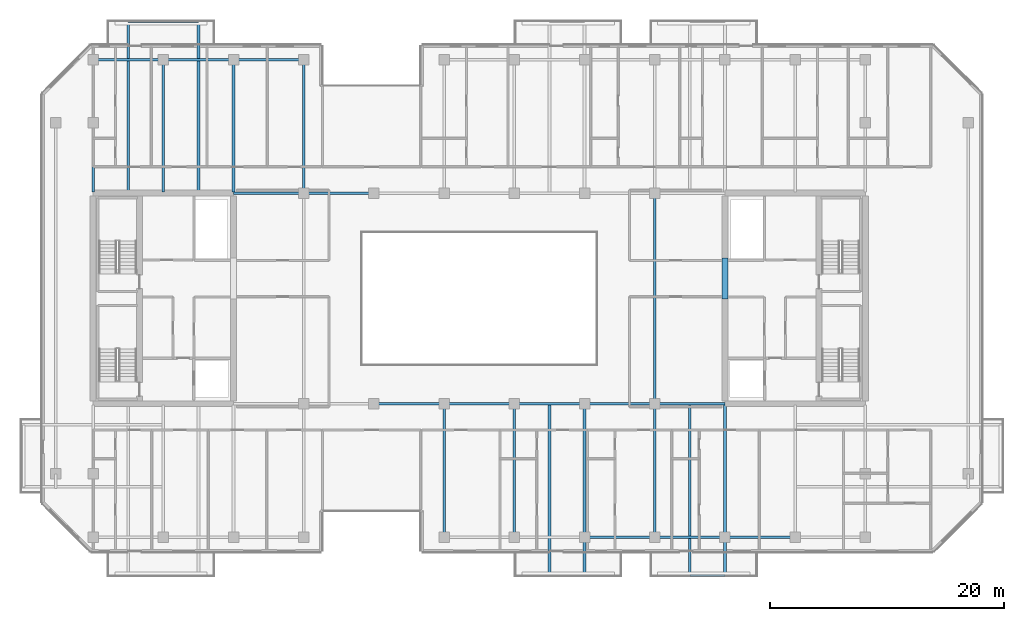
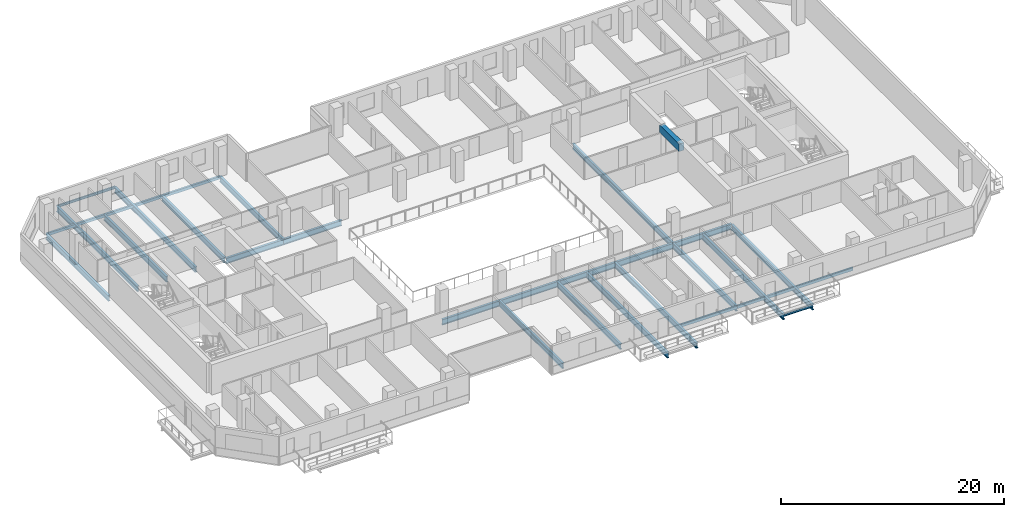
# One storey, part 5 of 19: 30 beams.
"""IFC4 building model written with IfcOpenShell, lengths in metres."""

from ifc_helpers import new_model, si_unit, direction, frame, origin, origin_2d, place, context, subcontext, project, spatial, rectangle, hollow_rectangle, i_section, extrude, material, material_profile, profile_set, type_object, element, save


model = new_model("IFC4")

# Units and contexts
model_context = context("Model", 3, precision=1e-05, world=origin(), true_north=direction((0.0, 1.0)))
body_context = subcontext(model_context, "Body", "Model", "MODEL_VIEW")
ifc_project = project(units=[si_unit("LENGTHUNIT", "METRE"), si_unit("AREAUNIT", "SQUARE_METRE"), si_unit("VOLUMEUNIT", "CUBIC_METRE"), si_unit("PLANEANGLEUNIT", "RADIAN"), si_unit("MASSUNIT", "GRAM", prefix="KILO")], contexts=[model_context])

# Site, building, storey
site_placement = place(None, origin())
site = spatial("IfcSite", under=ifc_project, at=site_placement, CompositionType="ELEMENT")
building_placement = place(site_placement, origin())
building = spatial("IfcBuilding", under=site, at=building_placement, Name="Tanjung Sevakor Pilgrim Tower", CompositionType="ELEMENT")
storey_placement = place(building_placement, frame((0.0, 0.0, 138.60009765625)))
storey = spatial("IfcBuildingStorey", under=building, at=storey_placement, Name="L38", CompositionType="ELEMENT", Elevation=138.60009765625)

# Beams
ifc_material_1 = material(Name="Steel S355J2", Category="steel")
ifc_material_profile_1 = material_profile(ifc_material_1, i_section(OverallWidth=0.230224609375, OverallDepth=0.6171875, WebThickness=0.01318359375, FlangeThickness=0.022216796875, FilletRadius=0.0126953125, at=origin_2d()))
ifc_profile_set_1 = profile_set([ifc_material_profile_1], Name="Steel S355J2")
beam_type_1 = type_object("IfcBeamType", Name="BM-B-G3-UB_610x229x140", PredefinedType="BEAM", material=ifc_profile_set_1)
for number, where, z_axis, x_axis, name in (
    (1, (48.0, 24.60009765625, -0.52880859375), (1.0, 0.0, 0.0), (0.0, 1.0, 0.0), "L38 Primary Floor Girder MAIN Y246-03"),
    (2, (54.0, 24.60009765625, -0.52880859375), (1.0, 0.0, 0.0), (0.0, 1.0, 0.0), "L38 Primary Floor Girder MAIN Y246-04"),
    (3, (60.0, 24.60009765625, -0.52880859375), (1.0, 0.0, 0.0), (0.0, 1.0, 0.0), "L38 Primary Floor Girder MAIN Y246-05"),
    (4, (66.0, 24.60009765625, -0.52880859375), (1.0, 0.0, 0.0), (0.0, 1.0, 0.0), "L38 Primary Floor Girder MAIN Y246-06"),
    (5, (72.0, 24.60009765625, -0.52880859375), (1.0, 0.0, 0.0), (0.0, 1.0, 0.0), "L38 Primary Floor Girder MAIN Y246-07"),
    (6, (36.0, 42.60009765625, -0.52880859375), (1.0, 0.0, 0.0), (0.0, 1.0, 0.0), "L38 Primary Floor Girder MAIN Y426-01"),
    (7, (42.0, 42.60009765625, -0.52880859375), (1.0, 0.0, 0.0), (0.0, 1.0, 0.0), "L38 Primary Floor Girder MAIN Y426-02"),
):
    element("IfcBeam", number, at=place(storey_placement, frame(where, z_axis=z_axis, x_axis=x_axis)), inside=storey, type_object=beam_type_1, Name=name, PredefinedType="BEAM", context=body_context, shape_type="SweptSolid", body=[
        extrude(i_section(OverallWidth=0.230224609375, OverallDepth=0.6171875, WebThickness=0.01318359375, FlangeThickness=0.022216796875, FilletRadius=0.0126953125, at=origin_2d()), origin(), (0.0, 0.0, 1.0), 6.0),
    ])
ifc_material_2 = material(Name="Steel S355J2", Category="steel")
ifc_material_profile_2 = material_profile(ifc_material_2, i_section(OverallWidth=0.22900390625, OverallDepth=0.6123046875, WebThickness=0.011962890625, FlangeThickness=0.01953125, FilletRadius=0.0126953125, at=origin_2d()))
ifc_profile_set_2 = profile_set([ifc_material_profile_2], Name="Steel S355J2")
beam_type_2 = type_object("IfcBeamType", Name="BM-B-G4-UB_610x229x125", PredefinedType="BEAM", material=ifc_profile_set_2)
beam_1_placement = place(storey_placement, frame((24.0, 42.715087890625, -0.526123046875), z_axis=(0.0, 1.0, 0.0), x_axis=(-1.0, 0.0, 0.0)))
element("IfcBeam", 8, at=beam_1_placement, inside=storey, type_object=beam_type_2, Name="L38 MAIN Girder 002", PredefinedType="BEAM", context=body_context, shape_type="SweptSolid", body=[
    extrude(i_section(OverallWidth=0.22900390625, OverallDepth=0.6123046875, WebThickness=0.011962890625, FlangeThickness=0.01953125, FilletRadius=0.0126953125, at=origin_2d()), origin(), (0.0, 0.0, 1.0), 11.284912109375),
])
beam_2_placement = place(storey_placement, frame((27.0, 42.715087890625, -0.526123046875), z_axis=(0.0, 1.0, 0.0), x_axis=(-1.0, 0.0, 0.0)))
element("IfcBeam", 9, at=beam_2_placement, inside=storey, type_object=beam_type_2, Name="L38 Balcony Cantilever Beam MAIN-N1-1", PredefinedType="BEAM", context=body_context, shape_type="SweptSolid", body=[
    extrude(i_section(OverallWidth=0.22900390625, OverallDepth=0.6123046875, WebThickness=0.011962890625, FlangeThickness=0.01953125, FilletRadius=0.0126953125, at=origin_2d()), origin(), (0.0, 0.0, 1.0), 14.56494140625),
])
beam_3_placement = place(storey_placement, frame((30.0, 42.715087890625, -0.526123046875), z_axis=(0.0, 1.0, 0.0), x_axis=(-1.0, 0.0, 0.0)))
element("IfcBeam", 10, at=beam_3_placement, inside=storey, type_object=beam_type_2, Name="L38 MAIN Girder 004", PredefinedType="BEAM", context=body_context, shape_type="SweptSolid", body=[
    extrude(i_section(OverallWidth=0.22900390625, OverallDepth=0.6123046875, WebThickness=0.011962890625, FlangeThickness=0.01953125, FilletRadius=0.0126953125, at=origin_2d()), origin(), (0.0, 0.0, 1.0), 11.284912109375),
])
beam_4_placement = place(storey_placement, frame((33.0, 42.715087890625, -0.526123046875), z_axis=(0.0, 1.0, 0.0), x_axis=(-1.0, 0.0, 0.0)))
element("IfcBeam", 11, at=beam_4_placement, inside=storey, type_object=beam_type_2, Name="L38 Balcony Cantilever Beam MAIN-N1-2", PredefinedType="BEAM", context=body_context, shape_type="SweptSolid", body=[
    extrude(i_section(OverallWidth=0.22900390625, OverallDepth=0.6123046875, WebThickness=0.011962890625, FlangeThickness=0.01953125, FilletRadius=0.0126953125, at=origin_2d()), origin(), (0.0, 0.0, 1.0), 14.56494140625),
])
beam_5_placement = place(storey_placement, frame((36.0, 42.715087890625, -0.526123046875), z_axis=(0.0, 1.0, 0.0), x_axis=(-1.0, 0.0, 0.0)))
element("IfcBeam", 12, at=beam_5_placement, inside=storey, type_object=beam_type_2, Name="L38 MAIN Girder 006", PredefinedType="BEAM", context=body_context, shape_type="SweptSolid", body=[
    extrude(i_section(OverallWidth=0.22900390625, OverallDepth=0.6123046875, WebThickness=0.011962890625, FlangeThickness=0.01953125, FilletRadius=0.0126953125, at=origin_2d()), origin(), (0.0, 0.0, 1.0), 11.284912109375),
])
beam_6_placement = place(storey_placement, frame((42.0, 42.60009765625, -0.526123046875), z_axis=(0.0, 1.0, 0.0), x_axis=(-1.0, 0.0, 0.0)))
element("IfcBeam", 13, at=beam_6_placement, inside=storey, type_object=beam_type_2, Name="L38 MAIN Girder 009", PredefinedType="BEAM", context=body_context, shape_type="SweptSolid", body=[
    extrude(i_section(OverallWidth=0.22900390625, OverallDepth=0.6123046875, WebThickness=0.011962890625, FlangeThickness=0.01953125, FilletRadius=0.0126953125, at=origin_2d()), origin(), (0.0, 0.0, 1.0), 11.39990234375),
])
for number, where, z_axis, x_axis, name in (
    (14, (54.0, 13.199951171875, -0.526123046875), (0.0, 1.0, 0.0), (-1.0, 0.0, 0.0), "L38 MAIN Girder 010"),
    (15, (60.0, 13.199951171875, -0.526123046875), (0.0, 1.0, 0.0), (-1.0, 0.0, 0.0), "L38 MAIN Girder 012"),
):
    element("IfcBeam", number, at=place(storey_placement, frame(where, z_axis=z_axis, x_axis=x_axis)), inside=storey, type_object=beam_type_2, Name=name, PredefinedType="BEAM", context=body_context, shape_type="SweptSolid", body=[
        extrude(i_section(OverallWidth=0.22900390625, OverallDepth=0.6123046875, WebThickness=0.011962890625, FlangeThickness=0.01953125, FilletRadius=0.0126953125, at=origin_2d()), origin(), (0.0, 0.0, 1.0), 11.400146484375),
    ])
beam_7_placement = place(storey_placement, frame((63.0, 24.48486328125, -0.526123046875), z_axis=(0.0, -1.0, 0.0), x_axis=(1.0, 0.0, 0.0)))
element("IfcBeam", 16, at=beam_7_placement, inside=storey, type_object=beam_type_2, Name="L38 Balcony Cantilever Beam MAIN-S2-1", PredefinedType="BEAM", context=body_context, shape_type="SweptSolid", body=[
    extrude(i_section(OverallWidth=0.22900390625, OverallDepth=0.6123046875, WebThickness=0.011962890625, FlangeThickness=0.01953125, FilletRadius=0.0126953125, at=origin_2d()), origin(), (0.0, 0.0, 1.0), 14.56494140625),
])
beam_8_placement = place(storey_placement, frame((66.0, 24.60009765625, -0.526123046875), z_axis=(0.0, -1.0, 0.0), x_axis=(1.0, 0.0, 0.0)))
element("IfcBeam", 17, at=beam_8_placement, inside=storey, type_object=beam_type_2, Name="L38 Balcony Cantilever Beam MAIN-S2-2", PredefinedType="BEAM", context=body_context, shape_type="SweptSolid", body=[
    extrude(i_section(OverallWidth=0.22900390625, OverallDepth=0.6123046875, WebThickness=0.011962890625, FlangeThickness=0.01953125, FilletRadius=0.0126953125, at=origin_2d()), origin(), (0.0, 0.0, 1.0), 14.68017578125),
])
beam_9_placement = place(storey_placement, frame((72.0, 13.199951171875, -0.526123046875), z_axis=(0.0, 1.0, 0.0), x_axis=(-1.0, 0.0, 0.0)))
element("IfcBeam", 18, at=beam_9_placement, inside=storey, type_object=beam_type_2, Name="L38 MAIN Girder 014", PredefinedType="BEAM", context=body_context, shape_type="SweptSolid", body=[
    extrude(i_section(OverallWidth=0.22900390625, OverallDepth=0.6123046875, WebThickness=0.011962890625, FlangeThickness=0.01953125, FilletRadius=0.0126953125, at=origin_2d()), origin(), (0.0, 0.0, 1.0), 11.400146484375),
])
beam_10_placement = place(storey_placement, frame((72.0, 24.60009765625, -0.526123046875), z_axis=(0.0, 1.0, 0.0), x_axis=(-1.0, 0.0, 0.0)))
element("IfcBeam", 19, at=beam_10_placement, inside=storey, type_object=beam_type_2, Name="L38 MAIN Girder 015", PredefinedType="BEAM", context=body_context, shape_type="SweptSolid", body=[
    extrude(i_section(OverallWidth=0.22900390625, OverallDepth=0.6123046875, WebThickness=0.011962890625, FlangeThickness=0.01953125, FilletRadius=0.0126953125, at=origin_2d()), origin(), (0.0, 0.0, 1.0), 18.0),
])
for number, where, z_axis, x_axis, name in (
    (20, (75.0, 24.48486328125, -0.526123046875), (0.0, -1.0, 0.0), (1.0, 0.0, 0.0), "L38 Balcony Cantilever Beam MAIN-S3-1"),
    (21, (78.0, 24.48486328125, -0.526123046875), (0.0, -1.0, 0.0), (1.0, 0.0, 0.0), "L38 Balcony Cantilever Beam MAIN-S3-2"),
):
    element("IfcBeam", number, at=place(storey_placement, frame(where, z_axis=z_axis, x_axis=x_axis)), inside=storey, type_object=beam_type_2, Name=name, PredefinedType="BEAM", context=body_context, shape_type="SweptSolid", body=[
        extrude(i_section(OverallWidth=0.22900390625, OverallDepth=0.6123046875, WebThickness=0.011962890625, FlangeThickness=0.01953125, FilletRadius=0.0126953125, at=origin_2d()), origin(), (0.0, 0.0, 1.0), 14.56494140625),
    ])
ifc_material_3 = material(Name="Steel S355J2", Category="steel")
ifc_material_profile_3 = material_profile(ifc_material_3, i_section(OverallWidth=0.146484375, OverallDepth=0.256103515625, WebThickness=0.00634765625, FlangeThickness=0.010986328125, FilletRadius=0.007568359375, at=origin_2d()))
ifc_profile_set_3 = profile_set([ifc_material_profile_3], Name="Steel S355J2")
beam_type_3 = type_object("IfcBeamType", Name="BM-B-J6-UB_254x146x37", PredefinedType="JOIST", material=ifc_profile_set_3)
beam_11_placement = place(storey_placement, frame((27.0, 57.280029296875, -0.328125), z_axis=(1.0, 0.0, 0.0), x_axis=(0.0, 1.0, 0.0)))
element("IfcBeam", 22, at=beam_11_placement, inside=storey, type_object=beam_type_3, Name="L38 Balcony Rim Tie MAIN-N1", PredefinedType="JOIST", context=body_context, shape_type="SweptSolid", body=[
    extrude(i_section(OverallWidth=0.146484375, OverallDepth=0.256103515625, WebThickness=0.00634765625, FlangeThickness=0.010986328125, FilletRadius=0.007568359375, at=origin_2d()), origin(), (0.0, 0.0, 1.0), 6.0),
])
beam_12_placement = place(storey_placement, frame((75.0, 9.919921875, -0.328125), z_axis=(1.0, 0.0, 0.0), x_axis=(0.0, 1.0, 0.0)))
element("IfcBeam", 23, at=beam_12_placement, inside=storey, type_object=beam_type_3, Name="L38 Balcony Rim Tie MAIN-S3", PredefinedType="JOIST", context=body_context, shape_type="SweptSolid", body=[
    extrude(i_section(OverallWidth=0.146484375, OverallDepth=0.256103515625, WebThickness=0.00634765625, FlangeThickness=0.010986328125, FilletRadius=0.007568359375, at=origin_2d()), origin(), (0.0, 0.0, 1.0), 3.0),
])
ifc_material_4 = material(Name="Concrete C60/75", Category="concrete")
ifc_material_profile_4 = material_profile(ifc_material_4, rectangle(XDim=0.5, YDim=0.800048828125, at=origin_2d()))
ifc_profile_set_4 = profile_set([ifc_material_profile_4], Name="Concrete C60/75")
beam_type_4 = type_object("IfcBeamType", Name="BM-B-LN2-RC-BM_500x800", PredefinedType="LINTEL", material=ifc_profile_set_4)
beam_13_placement = place(storey_placement, frame((78.0, 33.550048828125, 2.679931640625), z_axis=(0.0, 1.0, 0.0), x_axis=(-1.0, 0.0, 0.0)))
element("IfcBeam", 24, at=beam_13_placement, inside=storey, type_object=beam_type_4, Name="L38 E Core Coupling Lintel", PredefinedType="LINTEL", context=body_context, shape_type="SweptSolid", body=[
    extrude(rectangle(XDim=0.5, YDim=0.800048828125, at=origin_2d()), origin(), (0.0, 0.0, 1.0), 3.5),
])
ifc_material_5 = material(Name="Steel S355J2", Category="steel")
ifc_material_profile_5 = material_profile(ifc_material_5, hollow_rectangle(XDim=0.199951171875, YDim=0.300048828125, WallThickness=0.012451171875, at=origin_2d()))
ifc_profile_set_5 = profile_set([ifc_material_profile_5], Name="Steel S355J2")
beam_type_5 = type_object("IfcBeamType", Name="BM-B-SP3-RHS_300x200x12.5", PredefinedType="SPANDREL", material=ifc_profile_set_5)
for number, where, z_axis, x_axis, name in (
    (25, (24.0, 54.0, -0.3701171875), (1.0, 0.0, 0.0), (0.0, 1.0, 0.0), "L38 Spandrel MAIN N-02"),
    (26, (30.0, 54.0, -0.3701171875), (1.0, 0.0, 0.0), (0.0, 1.0, 0.0), "L38 Spandrel MAIN N-04"),
    (27, (36.0, 54.0, -0.3701171875), (1.0, 0.0, 0.0), (0.0, 1.0, 0.0), "L38 Spandrel MAIN N-06"),
    (28, (66.0, 13.199951171875, -0.3701171875), (1.0, 0.0, 0.0), (0.0, 1.0, 0.0), "L38 Spandrel MAIN S-11"),
    (29, (72.0, 13.199951171875, -0.3701171875), (1.0, 0.0, 0.0), (0.0, 1.0, 0.0), "L38 Spandrel MAIN S-13"),
    (30, (78.0, 13.199951171875, -0.3701171875), (1.0, 0.0, 0.0), (0.0, 1.0, 0.0), "L38 Spandrel MAIN S-15"),
):
    element("IfcBeam", number, at=place(storey_placement, frame(where, z_axis=z_axis, x_axis=x_axis)), inside=storey, type_object=beam_type_5, Name=name, PredefinedType="SPANDREL", context=body_context, shape_type="SweptSolid", body=[
        extrude(hollow_rectangle(XDim=0.199951171875, YDim=0.300048828125, WallThickness=0.012451171875, at=origin_2d()), origin(), (0.0, 0.0, 1.0), 6.0),
    ])

save(model, "model.ifc")
